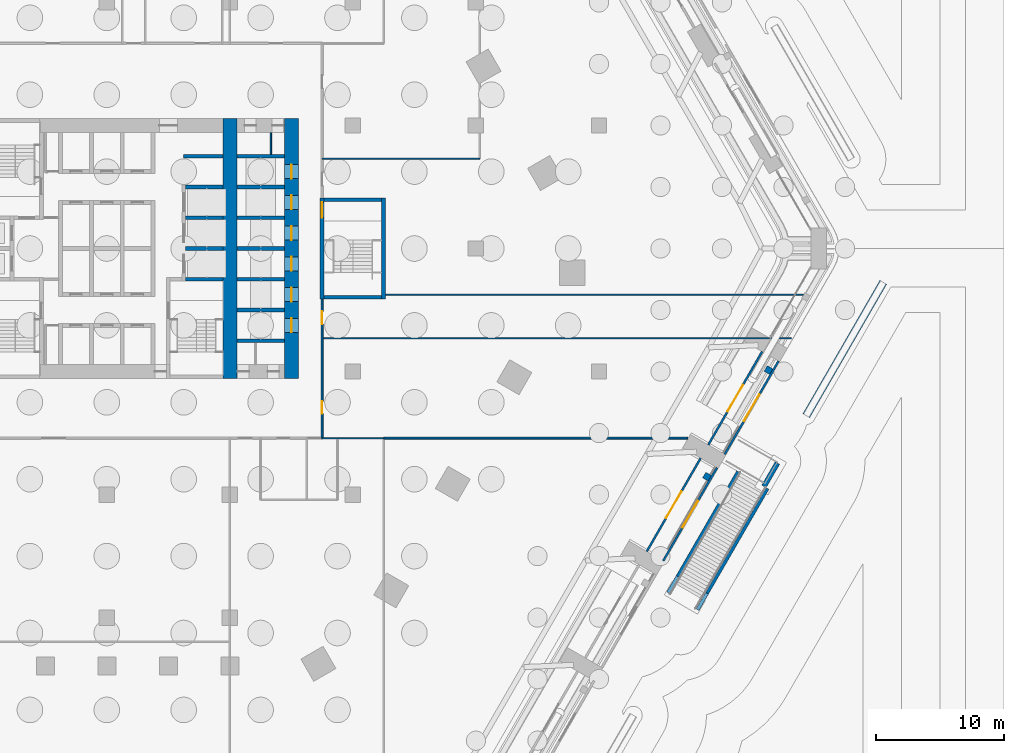
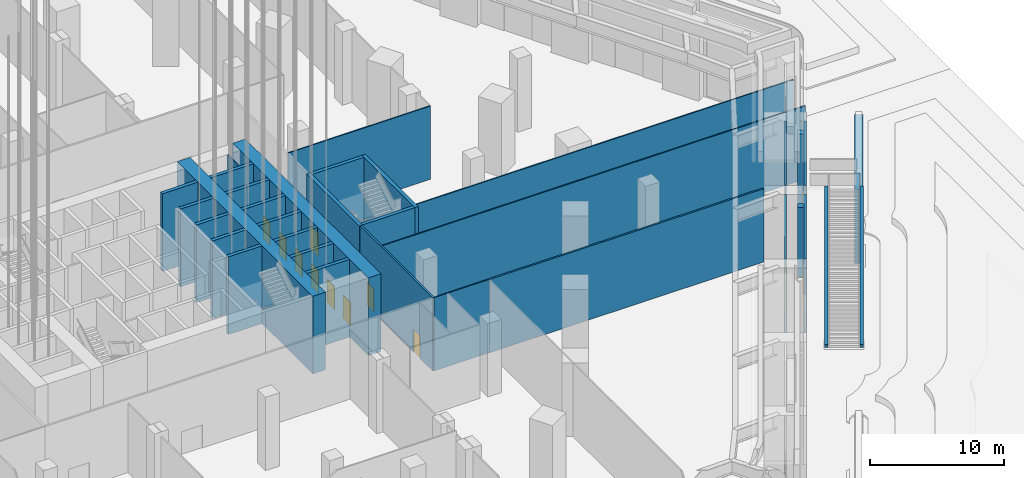
# One storey, part 17 of 68: 35 walls, 13 doors, 13 openings.
"""IFC4 building model written with IfcOpenShell, lengths in metres."""

from ifc_helpers import new_model, si_unit, direction, frame, frame_2d, origin, place, context, subcontext, project, spatial, polyline, rectangle, outline, extrude, material, layer, layer_set, type_object, element, fill, save


model = new_model("IFC4")

# Units and contexts
model_context = context("Model", 3, precision=1e-05, world=origin(), true_north=direction((0.0, 1.0)))
body_context = subcontext(model_context, "Body", "Model", "MODEL_VIEW")
ifc_project = project(units=[si_unit("LENGTHUNIT", "METRE"), si_unit("AREAUNIT", "SQUARE_METRE"), si_unit("VOLUMEUNIT", "CUBIC_METRE"), si_unit("PLANEANGLEUNIT", "RADIAN"), si_unit("MASSUNIT", "GRAM", prefix="KILO")], contexts=[model_context])

# Site, building, storey
site_placement = place(None, origin())
site = spatial("IfcSite", under=ifc_project, at=site_placement, CompositionType="ELEMENT")
building_placement = place(site_placement, origin())
building = spatial("IfcBuilding", under=site, at=building_placement, Name="Kolab Exchange Tower", CompositionType="ELEMENT")
storey_placement = place(building_placement, origin())
storey = spatial("IfcBuildingStorey", under=building, at=storey_placement, Name="L00", CompositionType="ELEMENT", Elevation=0.0)

# Wall
ifc_material_1 = material(Name="Concrete C80/95", Category="concrete")
ifc_layer_1 = layer(ifc_material_1, 1.10009765625)
ifc_layer_set_1 = layer_set([ifc_layer_1], Name="Concrete C80/95")
wall_type_1 = type_object("IfcWallType", Name="CORE WALL 1100 C80/95", PredefinedType="SHEAR", material=ifc_layer_set_1)
wall_1_placement = place(storey_placement, frame((9.60009765625, -10.14990234375, -0.39990234375), z_axis=(0.0, 0.0, 1.0), x_axis=(0.0, 1.0, 0.0)))
element("IfcWall", 1, at=wall_1_placement, inside=storey, type_object=wall_type_1, Name="wall/L00/core/080", PredefinedType="SHEAR", context=body_context, shape_type="SweptSolid", body=[
    extrude(rectangle(XDim=20.2998046875, YDim=1.10009765625, at=frame_2d((10.14990234375, 0.0))), origin(), (0.0, 0.0, 1.0), 7.099853515625),
])

# Wall, openings, doors
wall_2_placement = place(storey_placement, frame((14.39990234375, -10.14990234375, -0.39990234375), z_axis=(0.0, 0.0, 1.0), x_axis=(0.0, 1.0, 0.0)))
wall_2 = element("IfcWall", 2, at=wall_2_placement, inside=storey, type_object=wall_type_1, Name="wall/L00/core/081", PredefinedType="SHEAR", context=body_context, shape_type="SweptSolid", body=[
    extrude(rectangle(XDim=20.2998046875, YDim=1.10009765625, at=frame_2d((10.14990234375, 0.0))), origin(), (0.0, 0.0, 1.0), 7.099853515625),
])
opening_1_placement = place(wall_2_placement, frame((3.60009765625, 0.0, 0.39990234375)))
opening_1 = element("IfcOpeningElement", 3, at=opening_1_placement, cuts=wall_2, Name="Opening LD1-001", PredefinedType="OPENING", context=body_context, shape_type="SweptSolid", body=[
    extrude(rectangle(XDim=1.10009765625, YDim=2.10009765625, at=frame_2d((0.550048828125, 1.050048828125))), frame((0.0, 0.56005859375, 0.0), z_axis=(0.0, -1.0, 0.0), x_axis=(1.0, 0.0, 0.0)), (0.0, 0.0, 1.0), 1.1201171875),
])
opening_2_placement = place(wall_2_placement, frame((6.0, 0.0, 0.39990234375)))
opening_2 = element("IfcOpeningElement", 4, at=opening_2_placement, cuts=wall_2, Name="Opening LD1-002", PredefinedType="OPENING", context=body_context, shape_type="SweptSolid", body=[
    extrude(rectangle(XDim=1.10009765625, YDim=2.10009765625, at=frame_2d((0.550048828125, 1.050048828125))), frame((0.0, 0.56005859375, 0.0), z_axis=(0.0, -1.0, 0.0), x_axis=(1.0, 0.0, 0.0)), (0.0, 0.0, 1.0), 1.1201171875),
])
opening_3_placement = place(wall_2_placement, frame((8.39990234375, 0.0, 0.39990234375)))
opening_3 = element("IfcOpeningElement", 5, at=opening_3_placement, cuts=wall_2, Name="Opening LD1-003", PredefinedType="OPENING", context=body_context, shape_type="SweptSolid", body=[
    extrude(rectangle(XDim=1.10009765625, YDim=2.10009765625, at=frame_2d((0.550048828125, 1.050048828125))), frame((0.0, 0.56005859375, 0.0), z_axis=(0.0, -1.0, 0.0), x_axis=(1.0, 0.0, 0.0)), (0.0, 0.0, 1.0), 1.1201171875),
])
opening_4_placement = place(wall_2_placement, frame((10.800048828125, 0.0, 0.39990234375)))
opening_4 = element("IfcOpeningElement", 6, at=opening_4_placement, cuts=wall_2, Name="Opening LD1-004", PredefinedType="OPENING", context=body_context, shape_type="SweptSolid", body=[
    extrude(rectangle(XDim=1.10009765625, YDim=2.10009765625, at=frame_2d((0.550048828125, 1.050048828125))), frame((0.0, 0.56005859375, 0.0), z_axis=(0.0, -1.0, 0.0), x_axis=(1.0, 0.0, 0.0)), (0.0, 0.0, 1.0), 1.1201171875),
])
opening_5_placement = place(wall_2_placement, frame((13.199951171875, 0.0, 0.39990234375)))
opening_5 = element("IfcOpeningElement", 7, at=opening_5_placement, cuts=wall_2, Name="Opening LD1-009", PredefinedType="OPENING", context=body_context, shape_type="SweptSolid", body=[
    extrude(rectangle(XDim=1.10009765625, YDim=2.10009765625, at=frame_2d((0.550048828125, 1.050048828125))), frame((0.0, 0.56005859375, 0.0), z_axis=(0.0, -1.0, 0.0), x_axis=(1.0, 0.0, 0.0)), (0.0, 0.0, 1.0), 1.1201171875),
])
opening_6_placement = place(wall_2_placement, frame((15.60009765625, 0.0, 0.39990234375)))
opening_6 = element("IfcOpeningElement", 8, at=opening_6_placement, cuts=wall_2, Name="Opening LD1-010", PredefinedType="OPENING", context=body_context, shape_type="SweptSolid", body=[
    extrude(rectangle(XDim=1.10009765625, YDim=2.10009765625, at=frame_2d((0.550048828125, 1.050048828125))), frame((0.0, 0.56005859375, 0.0), z_axis=(0.0, -1.0, 0.0), x_axis=(1.0, 0.0, 0.0)), (0.0, 0.0, 1.0), 1.1201171875),
])
ifc_material_2 = material(Name="Stainless steel 316", Category="steel")
door_type_1 = type_object("IfcDoorType", Name="LANDING DOOR 1100 PASSENGER", OperationType="DOUBLE_DOOR_SLIDING", PredefinedType="DOOR", material=ifc_material_2)
door_1_placement = place(opening_1_placement, origin())
door_1 = element("IfcDoor", 9, at=door_1_placement, inside=storey, type_object=door_type_1, Name="Landing door LR1", OperationType="DOUBLE_DOOR_SLIDING", OverallHeight=2.10009765625, OverallWidth=1.10009765625, PredefinedType="DOOR", context=body_context, shape_type="SweptSolid", body=[
    extrude(rectangle(XDim=1.10009765625, YDim=2.10009765625, at=frame_2d((0.550048828125, 1.050048828125))), frame((0.0, 0.02490234375, 0.0), z_axis=(0.0, -1.0, 0.0), x_axis=(1.0, 0.0, 0.0)), (0.0, 0.0, 1.0), 0.050048828125),
])
fill(opening_1, door_1)
door_2_placement = place(opening_2_placement, origin())
door_2 = element("IfcDoor", 10, at=door_2_placement, inside=storey, type_object=door_type_1, Name="Landing door LR2", OperationType="DOUBLE_DOOR_SLIDING", OverallHeight=2.10009765625, OverallWidth=1.10009765625, PredefinedType="DOOR", context=body_context, shape_type="SweptSolid", body=[
    extrude(rectangle(XDim=1.10009765625, YDim=2.10009765625, at=frame_2d((0.550048828125, 1.050048828125))), frame((0.0, 0.02490234375, 0.0), z_axis=(0.0, -1.0, 0.0), x_axis=(1.0, 0.0, 0.0)), (0.0, 0.0, 1.0), 0.050048828125),
])
fill(opening_2, door_2)
door_3_placement = place(opening_3_placement, origin())
door_3 = element("IfcDoor", 11, at=door_3_placement, inside=storey, type_object=door_type_1, Name="Landing door LR3", OperationType="DOUBLE_DOOR_SLIDING", OverallHeight=2.10009765625, OverallWidth=1.10009765625, PredefinedType="DOOR", context=body_context, shape_type="SweptSolid", body=[
    extrude(rectangle(XDim=1.10009765625, YDim=2.10009765625, at=frame_2d((0.550048828125, 1.050048828125))), frame((0.0, 0.02490234375, 0.0), z_axis=(0.0, -1.0, 0.0), x_axis=(1.0, 0.0, 0.0)), (0.0, 0.0, 1.0), 0.050048828125),
])
fill(opening_3, door_3)
door_4_placement = place(opening_4_placement, origin())
door_4 = element("IfcDoor", 12, at=door_4_placement, inside=storey, type_object=door_type_1, Name="Landing door LR4", OperationType="DOUBLE_DOOR_SLIDING", OverallHeight=2.10009765625, OverallWidth=1.10009765625, PredefinedType="DOOR", context=body_context, shape_type="SweptSolid", body=[
    extrude(rectangle(XDim=1.10009765625, YDim=2.10009765625, at=frame_2d((0.550048828125, 1.050048828125))), frame((0.0, 0.02490234375, 0.0), z_axis=(0.0, -1.0, 0.0), x_axis=(1.0, 0.0, 0.0)), (0.0, 0.0, 1.0), 0.050048828125),
])
fill(opening_4, door_4)
door_5_placement = place(opening_5_placement, origin())
door_5 = element("IfcDoor", 13, at=door_5_placement, inside=storey, type_object=door_type_1, Name="Landing door SH1", OperationType="DOUBLE_DOOR_SLIDING", OverallHeight=2.10009765625, OverallWidth=1.10009765625, PredefinedType="DOOR", context=body_context, shape_type="SweptSolid", body=[
    extrude(rectangle(XDim=1.10009765625, YDim=2.10009765625, at=frame_2d((0.550048828125, 1.050048828125))), frame((0.0, 0.02490234375, 0.0), z_axis=(0.0, -1.0, 0.0), x_axis=(1.0, 0.0, 0.0)), (0.0, 0.0, 1.0), 0.050048828125),
])
fill(opening_5, door_5)
door_6_placement = place(opening_6_placement, origin())
door_6 = element("IfcDoor", 14, at=door_6_placement, inside=storey, type_object=door_type_1, Name="Landing door SH2", OperationType="DOUBLE_DOOR_SLIDING", OverallHeight=2.10009765625, OverallWidth=1.10009765625, PredefinedType="DOOR", context=body_context, shape_type="SweptSolid", body=[
    extrude(rectangle(XDim=1.10009765625, YDim=2.10009765625, at=frame_2d((0.550048828125, 1.050048828125))), frame((0.0, 0.02490234375, 0.0), z_axis=(0.0, -1.0, 0.0), x_axis=(1.0, 0.0, 0.0)), (0.0, 0.0, 1.0), 0.050048828125),
])
fill(opening_6, door_6)

# Wall, opening, door
ifc_material_3 = material(Name="Aluminium EN AW-6063 T6", Category="aluminium")
ifc_layer_2 = layer(ifc_material_3, 0.159912109375)
ifc_layer_set_2 = layer_set([ifc_layer_2], Name="Aluminium EN AW-6063 T6")
wall_type_2 = type_object("IfcWallType", Name="DOOR SURROUND WALL 160 ALUMINIUM FRAMED", PredefinedType="PARTITIONING", material=ifc_layer_set_2)
wall_3_placement = place(storey_placement, frame((51.130615234375, -8.045166015625, 0.0), z_axis=(0.0, 0.0, 1.0), x_axis=(-0.49999513524, -0.866028212437, 0.0)))
wall_3 = element("IfcWall", 15, at=wall_3_placement, inside=storey, type_object=wall_type_2, Name="Door surround wall", PredefinedType="PARTITIONING", context=body_context, shape_type="SweptSolid", body=[
    extrude(rectangle(XDim=8.39599609375, YDim=0.159912109375, at=frame_2d((4.197998046875, 0.0))), origin(), (0.0, 0.0, 1.0), 6.699951171875),
])
opening_7_placement = place(wall_3_placement, frame((2.998046875, 0.0, 0.0)))
opening_7 = element("IfcOpeningElement", 16, at=opening_7_placement, cuts=wall_3, Name="Opening ED1-012", PredefinedType="OPENING", context=body_context, shape_type="SweptSolid", body=[
    extrude(rectangle(XDim=2.39990234375, YDim=2.39990234375, at=frame_2d((1.199951171875, 1.199951171875))), frame((0.0, 0.08984375, 0.0), z_axis=(0.0, -1.0, 0.0), x_axis=(1.0, 0.0, 0.0)), (0.0, 0.0, 1.0), 0.179931640625),
])
door_type_2 = type_object("IfcDoorType", Name="ENTRANCE DOUBLE DOOR 2400 X 2400", OperationType="DOUBLE_DOOR_DOUBLE_SWING", PredefinedType="DOOR", material=ifc_material_3)
door_7_placement = place(opening_7_placement, origin())
door_7 = element("IfcDoor", 17, at=door_7_placement, inside=storey, type_object=door_type_2, Name="Entrance door", OperationType="DOUBLE_DOOR_DOUBLE_SWING", OverallHeight=2.39990234375, OverallWidth=2.39990234375, PredefinedType="DOOR", context=body_context, shape_type="SweptSolid", body=[
    extrude(rectangle(XDim=2.39990234375, YDim=2.39990234375, at=frame_2d((1.199951171875, 1.199951171875))), frame((0.0, 0.02490234375, 0.0), z_axis=(0.0, -1.0, 0.0), x_axis=(1.0, 0.0, 0.0)), (0.0, 0.0, 1.0), 0.050048828125),
])
fill(opening_7, door_7)

wall_4_placement = place(storey_placement, frame((46.33056640625, -16.359130859375, 0.0), z_axis=(0.0, 0.0, 1.0), x_axis=(-0.500007726539, -0.866020942819, 0.0)))
wall_4 = element("IfcWall", 18, at=wall_4_placement, inside=storey, type_object=wall_type_2, Name="Door surround wall", PredefinedType="PARTITIONING", context=body_context, shape_type="SweptSolid", body=[
    extrude(rectangle(XDim=8.395751953125, YDim=0.159912109375, at=frame_2d((4.19775390625, 0.0))), origin(), (0.0, 0.0, 1.0), 6.699951171875),
])
opening_8_placement = place(wall_4_placement, frame((2.998046875, 0.0, 0.0)))
opening_8 = element("IfcOpeningElement", 19, at=opening_8_placement, cuts=wall_4, Name="Opening ED1-009", PredefinedType="OPENING", context=body_context, shape_type="SweptSolid", body=[
    extrude(rectangle(XDim=2.39990234375, YDim=2.39990234375, at=frame_2d((1.199951171875, 1.199951171875))), frame((0.0, 0.08984375, 0.0), z_axis=(0.0, -1.0, 0.0), x_axis=(1.0, 0.0, 0.0)), (0.0, 0.0, 1.0), 0.179931640625),
])
door_8_placement = place(opening_8_placement, origin())
door_8 = element("IfcDoor", 20, at=door_8_placement, inside=storey, type_object=door_type_2, Name="Entrance door", OperationType="DOUBLE_DOOR_DOUBLE_SWING", OverallHeight=2.39990234375, OverallWidth=2.39990234375, PredefinedType="DOOR", context=body_context, shape_type="SweptSolid", body=[
    extrude(rectangle(XDim=2.39990234375, YDim=2.39990234375, at=frame_2d((1.199951171875, 1.199951171875))), frame((0.0, 0.02490234375, 0.0), z_axis=(0.0, -1.0, 0.0), x_axis=(1.0, 0.0, 0.0)), (0.0, 0.0, 1.0), 0.050048828125),
])
fill(opening_8, door_8)

wall_5_placement = place(storey_placement, frame((52.411376953125, -8.786865234375, 0.0), z_axis=(0.0, 0.0, 1.0), x_axis=(-0.499996941814, -0.866027169422, 0.0)))
wall_5 = element("IfcWall", 21, at=wall_5_placement, inside=storey, type_object=wall_type_2, Name="Door surround wall", PredefinedType="PARTITIONING", context=body_context, shape_type="SweptSolid", body=[
    extrude(rectangle(XDim=8.39208984375, YDim=0.159912109375, at=frame_2d((4.196044921875, 0.0))), origin(), (0.0, 0.0, 1.0), 6.699951171875),
])
opening_9_placement = place(wall_5_placement, frame((2.99609375, 0.0, 0.0)))
opening_9 = element("IfcOpeningElement", 22, at=opening_9_placement, cuts=wall_5, Name="Opening ED1-031", PredefinedType="OPENING", context=body_context, shape_type="SweptSolid", body=[
    extrude(rectangle(XDim=2.39990234375, YDim=2.39990234375, at=frame_2d((1.199951171875, 1.199951171875))), frame((0.0, 0.08984375, 0.0), z_axis=(0.0, -1.0, 0.0), x_axis=(1.0, 0.0, 0.0)), (0.0, 0.0, 1.0), 0.179931640625),
])
door_9_placement = place(opening_9_placement, origin())
door_9 = element("IfcDoor", 23, at=door_9_placement, inside=storey, type_object=door_type_2, Name="Entrance door", OperationType="DOUBLE_DOOR_DOUBLE_SWING", OverallHeight=2.39990234375, OverallWidth=2.39990234375, PredefinedType="DOOR", context=body_context, shape_type="SweptSolid", body=[
    extrude(rectangle(XDim=2.39990234375, YDim=2.39990234375, at=frame_2d((1.199951171875, 1.199951171875))), frame((0.0, 0.02490234375, 0.0), z_axis=(0.0, -1.0, 0.0), x_axis=(1.0, 0.0, 0.0)), (0.0, 0.0, 1.0), 0.050048828125),
])
fill(opening_9, door_9)

wall_6_placement = place(storey_placement, frame((47.611328125, -17.100830078125, 0.0), z_axis=(0.0, 0.0, 1.0), x_axis=(-0.500009539049, -0.866019896342, 0.0)))
wall_6 = element("IfcWall", 24, at=wall_6_placement, inside=storey, type_object=wall_type_2, Name="Door surround wall", PredefinedType="PARTITIONING", context=body_context, shape_type="SweptSolid", body=[
    extrude(rectangle(XDim=8.391845703125, YDim=0.159912109375, at=frame_2d((4.19580078125, 0.0))), origin(), (0.0, 0.0, 1.0), 6.699951171875),
])
opening_10_placement = place(wall_6_placement, frame((2.99609375, 0.0, 0.0)))
opening_10 = element("IfcOpeningElement", 25, at=opening_10_placement, cuts=wall_6, Name="Opening ED1-032", PredefinedType="OPENING", context=body_context, shape_type="SweptSolid", body=[
    extrude(rectangle(XDim=2.39990234375, YDim=2.39990234375, at=frame_2d((1.199951171875, 1.199951171875))), frame((0.0, 0.08984375, 0.0), z_axis=(0.0, -1.0, 0.0), x_axis=(1.0, 0.0, 0.0)), (0.0, 0.0, 1.0), 0.179931640625),
])
door_10_placement = place(opening_10_placement, origin())
door_10 = element("IfcDoor", 26, at=door_10_placement, inside=storey, type_object=door_type_2, Name="Entrance door", OperationType="DOUBLE_DOOR_DOUBLE_SWING", OverallHeight=2.39990234375, OverallWidth=2.39990234375, PredefinedType="DOOR", context=body_context, shape_type="SweptSolid", body=[
    extrude(rectangle(XDim=2.39990234375, YDim=2.39990234375, at=frame_2d((1.199951171875, 1.199951171875))), frame((0.0, 0.02490234375, 0.0), z_axis=(0.0, -1.0, 0.0), x_axis=(1.0, 0.0, 0.0)), (0.0, 0.0, 1.0), 0.050048828125),
])
fill(opening_10, door_10)

# Walls
ifc_material_4 = material(Name="Concrete C50/60", Category="concrete")
ifc_layer_3 = layer(ifc_material_4, 0.300048828125)
ifc_layer_set_3 = layer_set([ifc_layer_3], Name="Concrete C50/60")
wall_type_3 = type_object("IfcWallType", Name="LIFT SHAFT WALL 300 C50/60", PredefinedType="STANDARD", material=ifc_layer_set_3)
for number, where, z_axis, x_axis, name in (
    (27, (10.14990234375, -7.199951171875, -0.39990234375), (0.0, 0.0, 1.0), (1.0, 0.0, 0.0), "wall/L00/core/006"),
    (28, (10.14990234375, -4.800048828125, -0.39990234375), (0.0, 0.0, 1.0), (1.0, 0.0, 0.0), "wall/L00/core/011"),
    (29, (10.14990234375, -2.39990234375, -0.39990234375), (0.0, 0.0, 1.0), (1.0, 0.0, 0.0), "wall/L00/core/023"),
):
    element("IfcWall", number, at=place(storey_placement, frame(where, z_axis=z_axis, x_axis=x_axis)), inside=storey, type_object=wall_type_3, Name=name, PredefinedType="STANDARD", context=body_context, shape_type="SweptSolid", body=[
        extrude(rectangle(XDim=3.7001953125, YDim=0.300048828125, at=frame_2d((1.85009765625, 0.0))), origin(), (0.0, 0.0, 1.0), 7.099853515625),
    ])
wall_7_placement = place(storey_placement, frame((6.14990234375, 0.0, -0.39990234375), z_axis=(0.0, 0.0, 1.0), x_axis=(1.0, 0.0, 0.0)))
element("IfcWall", 30, at=wall_7_placement, inside=storey, type_object=wall_type_3, Name="wall/L00/core/029", PredefinedType="STANDARD", context=body_context, shape_type="SweptSolid", body=[
    extrude(rectangle(XDim=2.900146484375, YDim=0.300048828125, at=frame_2d((1.4501953125, 0.0))), origin(), (0.0, 0.0, 1.0), 7.099853515625),
])
wall_8_placement = place(storey_placement, frame((10.14990234375, 0.0, -0.39990234375), z_axis=(0.0, 0.0, 1.0), x_axis=(1.0, 0.0, 0.0)))
element("IfcWall", 31, at=wall_8_placement, inside=storey, type_object=wall_type_3, Name="wall/L00/core/030", PredefinedType="STANDARD", context=body_context, shape_type="SweptSolid", body=[
    extrude(rectangle(XDim=3.7001953125, YDim=0.300048828125, at=frame_2d((1.85009765625, 0.0))), origin(), (0.0, 0.0, 1.0), 7.099853515625),
])
wall_9_placement = place(storey_placement, frame((6.14990234375, 2.39990234375, -0.39990234375), z_axis=(0.0, 0.0, 1.0), x_axis=(1.0, 0.0, 0.0)))
element("IfcWall", 32, at=wall_9_placement, inside=storey, type_object=wall_type_3, Name="wall/L00/core/035", PredefinedType="STANDARD", context=body_context, shape_type="SweptSolid", body=[
    extrude(rectangle(XDim=2.900146484375, YDim=0.300048828125, at=frame_2d((1.4501953125, 0.0))), origin(), (0.0, 0.0, 1.0), 7.099853515625),
])
wall_10_placement = place(storey_placement, frame((10.14990234375, 2.39990234375, -0.39990234375), z_axis=(0.0, 0.0, 1.0), x_axis=(1.0, 0.0, 0.0)))
element("IfcWall", 33, at=wall_10_placement, inside=storey, type_object=wall_type_3, Name="wall/L00/core/036", PredefinedType="STANDARD", context=body_context, shape_type="SweptSolid", body=[
    extrude(rectangle(XDim=3.7001953125, YDim=0.300048828125, at=frame_2d((1.85009765625, 0.0))), origin(), (0.0, 0.0, 1.0), 7.099853515625),
])
wall_11_placement = place(storey_placement, frame((6.14990234375, 4.800048828125, -0.39990234375), z_axis=(0.0, 0.0, 1.0), x_axis=(1.0, 0.0, 0.0)))
element("IfcWall", 34, at=wall_11_placement, inside=storey, type_object=wall_type_3, Name="wall/L00/core/043", PredefinedType="STANDARD", context=body_context, shape_type="SweptSolid", body=[
    extrude(rectangle(XDim=2.900146484375, YDim=0.300048828125, at=frame_2d((1.4501953125, 0.0))), origin(), (0.0, 0.0, 1.0), 7.099853515625),
])
wall_12_placement = place(storey_placement, frame((10.14990234375, 4.800048828125, -0.39990234375), z_axis=(0.0, 0.0, 1.0), x_axis=(1.0, 0.0, 0.0)))
element("IfcWall", 35, at=wall_12_placement, inside=storey, type_object=wall_type_3, Name="wall/L00/core/044", PredefinedType="STANDARD", context=body_context, shape_type="SweptSolid", body=[
    extrude(rectangle(XDim=3.7001953125, YDim=0.300048828125, at=frame_2d((1.85009765625, 0.0))), origin(), (0.0, 0.0, 1.0), 7.099853515625),
])
wall_13_placement = place(storey_placement, frame((6.0, 7.199951171875, -0.39990234375), z_axis=(0.0, 0.0, 1.0), x_axis=(1.0, 0.0, 0.0)))
element("IfcWall", 36, at=wall_13_placement, inside=storey, type_object=wall_type_3, Name="wall/L00/core/049", PredefinedType="STANDARD", context=body_context, shape_type="SweptSolid", body=[
    extrude(rectangle(XDim=3.050048828125, YDim=0.300048828125, at=frame_2d((1.52490234375, 0.0))), origin(), (0.0, 0.0, 1.0), 7.099853515625),
])
wall_14_placement = place(storey_placement, frame((10.14990234375, 7.199951171875, -0.39990234375), z_axis=(0.0, 0.0, 1.0), x_axis=(1.0, 0.0, 0.0)))
element("IfcWall", 37, at=wall_14_placement, inside=storey, type_object=wall_type_3, Name="wall/L00/core/050", PredefinedType="STANDARD", context=body_context, shape_type="SweptSolid", body=[
    extrude(rectangle(XDim=3.7001953125, YDim=0.300048828125, at=frame_2d((1.85009765625, 0.0))), origin(), (0.0, 0.0, 1.0), 7.099853515625),
])
ifc_material_5 = material(Name="Gypsum board", Category="gypsum")
ifc_layer_4 = layer(ifc_material_5, 0.10009765625)
ifc_layer_set_4 = layer_set([ifc_layer_4], Name="Gypsum board")
wall_type_4 = type_object("IfcWallType", Name="PARTITION 100", PredefinedType="PARTITIONING", material=ifc_layer_set_4)
wall_15_placement = place(storey_placement, frame((12.800048828125, 7.35009765625, 0.0), z_axis=(0.0, 0.0, 1.0), x_axis=(0.0, 1.0, 0.0)))
element("IfcWall", 38, at=wall_15_placement, inside=storey, type_object=wall_type_4, Name="Partition 007", PredefinedType="PARTITIONING", context=body_context, shape_type="SweptSolid", body=[
    extrude(rectangle(XDim=1.699951171875, YDim=0.10009765625, at=frame_2d((0.85009765625, 0.0))), origin(), (0.0, 0.0, 1.0), 6.699951171875),
])
wall_16_placement = place(storey_placement, frame((16.800048828125, -14.800048828125, 0.0), z_axis=(0.0, 0.0, 1.0), x_axis=(1.0, 0.0, 0.0)))
element("IfcWall", 39, at=wall_16_placement, inside=storey, type_object=wall_type_4, Name="Partition 028", PredefinedType="PARTITIONING", context=body_context, shape_type="SweptSolid", body=[
    extrude(rectangle(XDim=4.800048828125, YDim=0.10009765625, at=frame_2d((2.39990234375, 0.0))), origin(), (0.0, 0.0, 1.0), 6.699951171875),
])
wall_17_placement = place(storey_placement, frame((16.800048828125, -7.0, 0.0), z_axis=(0.0, 0.0, 1.0), x_axis=(1.0, 0.0, 0.0)))
element("IfcWall", 40, at=wall_17_placement, inside=storey, type_object=wall_type_4, Name="Partition 031", PredefinedType="PARTITIONING", context=body_context, shape_type="SweptSolid", body=[
    extrude(rectangle(XDim=36.619873046875, YDim=0.10009765625, at=frame_2d((18.31005859375, 0.0))), origin(), (0.0, 0.0, 1.0), 6.699951171875),
])
wall_18_placement = place(storey_placement, frame((21.75, -3.60009765625, 0.0), z_axis=(0.0, 0.0, 1.0), x_axis=(1.0, 0.0, 0.0)))
element("IfcWall", 41, at=wall_18_placement, inside=storey, type_object=wall_type_4, Name="Partition 034", PredefinedType="PARTITIONING", context=body_context, shape_type="SweptSolid", body=[
    extrude(rectangle(XDim=32.587890625, YDim=0.10009765625, at=frame_2d((16.2939453125, 0.0))), origin(), (0.0, 0.0, 1.0), 6.699951171875),
])
wall_19_placement = place(storey_placement, frame((16.800048828125, 7.0, 0.0), z_axis=(0.0, 0.0, 1.0), x_axis=(1.0, 0.0, 0.0)))
element("IfcWall", 42, at=wall_19_placement, inside=storey, type_object=wall_type_4, Name="Partition 037", PredefinedType="PARTITIONING", context=body_context, shape_type="SweptSolid", body=[
    extrude(rectangle(XDim=12.296875, YDim=0.10009765625, at=frame_2d((6.1484375, 0.0))), origin(), (0.0, 0.0, 1.0), 6.699951171875),
])

# Wall, openings, doors
ifc_layer_5 = layer(ifc_material_5, 0.14990234375)
ifc_layer_set_5 = layer_set([ifc_layer_5], Name="Gypsum board")
wall_type_5 = type_object("IfcWallType", Name="PARTITION 150 FIRE-RATED", PredefinedType="PARTITIONING", material=ifc_layer_set_5)
wall_20_placement = place(storey_placement, frame((16.800048828125, -14.800048828125, 0.0), z_axis=(0.0, 0.0, 1.0), x_axis=(0.0, 1.0, 0.0)))
wall_20 = element("IfcWall", 43, at=wall_20_placement, inside=storey, type_object=wall_type_5, Name="Partition 004", PredefinedType="PARTITIONING", context=body_context, shape_type="SweptSolid", body=[
    extrude(rectangle(XDim=10.85009765625, YDim=0.14990234375, at=frame_2d((5.425048828125, 0.0))), origin(), (0.0, 0.0, 1.0), 6.699951171875),
])
opening_11_placement = place(wall_20_placement, frame((1.89990234375, 0.0, 0.0)))
opening_11 = element("IfcOpeningElement", 44, at=opening_11_placement, cuts=wall_20, Name="Opening D1-005", PredefinedType="OPENING", context=body_context, shape_type="SweptSolid", body=[
    extrude(rectangle(XDim=1.0, YDim=2.10009765625, at=frame_2d((0.5, 1.050048828125))), frame((0.0, 0.0849609375, 0.0), z_axis=(0.0, -1.0, 0.0), x_axis=(1.0, 0.0, 0.0)), (0.0, 0.0, 1.0), 0.169921875),
])
opening_12_placement = place(wall_20_placement, frame((8.89990234375, 0.0, 0.0)))
opening_12 = element("IfcOpeningElement", 45, at=opening_12_placement, cuts=wall_20, Name="Opening D1-006", PredefinedType="OPENING", context=body_context, shape_type="SweptSolid", body=[
    extrude(rectangle(XDim=1.0, YDim=2.10009765625, at=frame_2d((0.5, 1.050048828125))), frame((0.0, 0.0849609375, 0.0), z_axis=(0.0, -1.0, 0.0), x_axis=(1.0, 0.0, 0.0)), (0.0, 0.0, 1.0), 0.169921875),
])
ifc_material_6 = material(Name="Steel S235", Category="steel")
door_type_3 = type_object("IfcDoorType", Name="FLUSH DOOR 1000 FD60", OperationType="SINGLE_SWING_LEFT", PredefinedType="DOOR", material=ifc_material_6)
door_11_placement = place(opening_11_placement, frame((1.0, 0.0, 0.0), z_axis=(0.0, 0.0, 1.0), x_axis=(-1.0, 0.0, 0.0)))
door_11 = element("IfcDoor", 46, at=door_11_placement, inside=storey, type_object=door_type_3, Name="Door L00-056", OperationType="SINGLE_SWING_LEFT", OverallHeight=2.10009765625, OverallWidth=1.0, PredefinedType="DOOR", context=body_context, shape_type="SweptSolid", body=[
    extrude(rectangle(XDim=1.0, YDim=2.10009765625, at=frame_2d((0.5, 1.050048828125))), frame((0.0, 0.02490234375, 0.0), z_axis=(0.0, -1.0, 0.0), x_axis=(1.0, 0.0, 0.0)), (0.0, 0.0, 1.0), 0.050048828125),
])
fill(opening_11, door_11)
door_12_placement = place(opening_12_placement, frame((1.0, 0.0, 0.0), z_axis=(0.0, 0.0, 1.0), x_axis=(-1.0, 0.0, 0.0)))
door_12 = element("IfcDoor", 47, at=door_12_placement, inside=storey, type_object=door_type_3, Name="Door L00-057", OperationType="SINGLE_SWING_LEFT", OverallHeight=2.10009765625, OverallWidth=1.0, PredefinedType="DOOR", context=body_context, shape_type="SweptSolid", body=[
    extrude(rectangle(XDim=1.0, YDim=2.10009765625, at=frame_2d((0.5, 1.050048828125))), frame((0.0, 0.02490234375, 0.0), z_axis=(0.0, -1.0, 0.0), x_axis=(1.0, 0.0, 0.0)), (0.0, 0.0, 1.0), 0.050048828125),
])
fill(opening_12, door_12)

# Walls
wall_21_placement = place(storey_placement, frame((21.60009765625, -14.800048828125, 0.0), z_axis=(0.0, 0.0, 1.0), x_axis=(1.0, 0.0, 0.0)))
element("IfcWall", 48, at=wall_21_placement, inside=storey, type_object=wall_type_5, Name="Partition 042", PredefinedType="PARTITIONING", context=body_context, shape_type="SweptSolid", body=[
    extrude(rectangle(XDim=23.716796875, YDim=0.14990234375, at=frame_2d((11.8583984375, 0.0))), origin(), (0.0, 0.0, 1.0), 6.699951171875),
])
ifc_material_7 = material(Name="Granite facing", Category="masonry")
ifc_layer_6 = layer(ifc_material_7, 0.0400390625)
ifc_material_8 = material(Name="Concrete C40/50 precast", Category="concrete")
ifc_layer_7 = layer(ifc_material_8, 0.56005859375)
ifc_layer_set_6 = layer_set([ifc_layer_6, ifc_layer_7], Name="Concrete C40/50 precast")
wall_type_6 = type_object("IfcWallType", Name="PLANTER BOX 600 X 700 SOIL DEPTH 550", PredefinedType="USERDEFINED", material=ifc_layer_set_6)
wall_22_placement = place(storey_placement, frame((60.577392578125, -2.642822265625, 0.0), z_axis=(0.0, 0.0, 1.0), x_axis=(-0.49999894854, -0.866026010844, 0.0)))
element("IfcWall", 49, at=wall_22_placement, inside=storey, type_object=wall_type_6, Name="Planter", ObjectType="PLANTER", PredefinedType="USERDEFINED", context=body_context, shape_type="SweptSolid", body=[
    extrude(rectangle(XDim=12.0, YDim=0.60009765625, at=frame_2d((6.0, 0.0))), origin(), (0.0, 0.0, 1.0), 0.699951171875),
])
ifc_layer_8 = layer(ifc_material_7, 0.0400390625)
ifc_material_9 = material(Name="Concrete C40/50", Category="concrete")
ifc_layer_9 = layer(ifc_material_9, 0.2099609375)
ifc_layer_set_7 = layer_set([ifc_layer_8, ifc_layer_9], Name="Concrete C40/50")
wall_type_7 = type_object("IfcWallType", Name="STAIR CHEEK WALL 250", PredefinedType="SOLIDWALL", material=ifc_layer_set_7)
for number, where, z_axis, x_axis, name in (
    (50, (43.79736328125, -26.85693359375, 0.0), (0.0, 0.0, 1.0), (0.499995975244, 0.866027727466, 0.0), "Stair cheek wall"),
    (51, (46.09228515625, -28.181884765625, 0.0), (0.0, 0.0, 1.0), (0.499995975244, 0.866027727466, 0.0), "Stair cheek wall"),
):
    element("IfcWall", number, at=place(storey_placement, frame(where, z_axis=z_axis, x_axis=x_axis)), inside=storey, type_object=wall_type_7, Name=name, PredefinedType="SOLIDWALL", context=body_context, shape_type="SweptSolid", body=[
        extrude(outline(polyline([(0.0, 0.0), (10.919921875, 0.0), (10.919921875, 7.10009765625), (0.0, 0.27490234375), (0.0, 0.0)])), frame((0.0, 0.125, 0.0), z_axis=(0.0, -1.0, 0.0), x_axis=(1.0, 0.0, 0.0)), (0.0, 0.0, 1.0), 0.25),
    ])
ifc_layer_10 = layer(ifc_material_4, 0.300048828125)
ifc_layer_set_8 = layer_set([ifc_layer_10], Name="Concrete C50/60")
wall_type_8 = type_object("IfcWallType", Name="STAIR ENCLOSURE WALL 300 C50/60", PredefinedType="STANDARD", material=ifc_layer_set_8)
wall_23_placement = place(storey_placement, frame((16.949951171875, -3.800048828125, -0.39990234375), z_axis=(0.0, 0.0, 1.0), x_axis=(1.0, 0.0, 0.0)))
element("IfcWall", 52, at=wall_23_placement, inside=storey, type_object=wall_type_8, Name="wall/L00/core/013", PredefinedType="STANDARD", context=body_context, shape_type="SweptSolid", body=[
    extrude(rectangle(XDim=4.5, YDim=0.300048828125, at=frame_2d((2.25, 0.0))), origin(), (0.0, 0.0, 1.0), 7.099853515625),
])
wall_24_placement = place(storey_placement, frame((6.14990234375, -2.39990234375, -0.39990234375), z_axis=(0.0, 0.0, 1.0), x_axis=(1.0, 0.0, 0.0)))
element("IfcWall", 53, at=wall_24_placement, inside=storey, type_object=wall_type_8, Name="wall/L00/core/022", PredefinedType="STANDARD", context=body_context, shape_type="SweptSolid", body=[
    extrude(rectangle(XDim=2.900146484375, YDim=0.300048828125, at=frame_2d((1.4501953125, 0.0))), origin(), (0.0, 0.0, 1.0), 7.099853515625),
])
wall_25_placement = place(storey_placement, frame((16.949951171875, 3.800048828125, -0.39990234375), z_axis=(0.0, 0.0, 1.0), x_axis=(1.0, 0.0, 0.0)))
element("IfcWall", 54, at=wall_25_placement, inside=storey, type_object=wall_type_8, Name="wall/L00/core/041", PredefinedType="STANDARD", context=body_context, shape_type="SweptSolid", body=[
    extrude(rectangle(XDim=4.5, YDim=0.300048828125, at=frame_2d((2.25, 0.0))), origin(), (0.0, 0.0, 1.0), 7.099853515625),
])

# Wall, opening, door
wall_26_placement = place(storey_placement, frame((16.800048828125, -3.949951171875, -0.39990234375), z_axis=(0.0, 0.0, 1.0), x_axis=(0.0, 1.0, 0.0)))
wall_26 = element("IfcWall", 55, at=wall_26_placement, inside=storey, type_object=wall_type_8, Name="wall/L00/core/082", PredefinedType="STANDARD", context=body_context, shape_type="SweptSolid", body=[
    extrude(rectangle(XDim=7.89990234375, YDim=0.300048828125, at=frame_2d((3.949951171875, 0.0))), origin(), (0.0, 0.0, 1.0), 7.099853515625),
])
opening_13_placement = place(wall_26_placement, frame((6.35009765625, 0.0, 0.39990234375)))
opening_13 = element("IfcOpeningElement", 56, at=opening_13_placement, cuts=wall_26, Name="Opening D4-005", PredefinedType="OPENING", context=body_context, shape_type="SweptSolid", body=[
    extrude(rectangle(XDim=1.199951171875, YDim=2.10009765625, at=frame_2d((0.60009765625, 1.050048828125))), frame((0.0, 0.16015625, 0.0), z_axis=(0.0, -1.0, 0.0), x_axis=(1.0, 0.0, 0.0)), (0.0, 0.0, 1.0), 0.320068359375),
])
door_type_4 = type_object("IfcDoorType", Name="STAIR DOOR 1200 EI 120", OperationType="SINGLE_SWING_LEFT", PredefinedType="DOOR", material=ifc_material_6)
door_13_placement = place(opening_13_placement, frame((1.199951171875, 0.0, 0.0), z_axis=(0.0, 0.0, 1.0), x_axis=(-1.0, 0.0, 0.0)))
door_13 = element("IfcDoor", 57, at=door_13_placement, inside=storey, type_object=door_type_4, Name="Stair 4 door", OperationType="SINGLE_SWING_RIGHT", OverallHeight=2.10009765625, OverallWidth=1.199951171875, PredefinedType="DOOR", context=body_context, shape_type="SweptSolid", body=[
    extrude(rectangle(XDim=1.199951171875, YDim=2.10009765625, at=frame_2d((0.60009765625, 1.050048828125))), frame((0.0, 0.02490234375, 0.0), z_axis=(0.0, -1.0, 0.0), x_axis=(1.0, 0.0, 0.0)), (0.0, 0.0, 1.0), 0.050048828125),
])
fill(opening_13, door_13)

# Walls
wall_27_placement = place(storey_placement, frame((21.60009765625, -3.949951171875, -0.39990234375), z_axis=(0.0, 0.0, 1.0), x_axis=(0.0, 1.0, 0.0)))
element("IfcWall", 58, at=wall_27_placement, inside=storey, type_object=wall_type_8, Name="wall/L00/core/083", PredefinedType="STANDARD", context=body_context, shape_type="SweptSolid", body=[
    extrude(rectangle(XDim=7.89990234375, YDim=0.300048828125, at=frame_2d((3.949951171875, 0.0))), origin(), (0.0, 0.0, 1.0), 7.099853515625),
])
ifc_layer_11 = layer(ifc_material_9, 0.39990234375)
ifc_layer_set_9 = layer_set([ifc_layer_11], Name="Concrete C40/50")
wall_type_9 = type_object("IfcWallType", Name="STAIR LANDING SUPPORT PIER 2100 X 400", PredefinedType="SOLIDWALL", material=ifc_layer_set_9)
wall_28_placement = place(storey_placement, frame((52.32080078125, -16.74365234375, 0.0), z_axis=(0.0, 0.0, 1.0), x_axis=(-0.49994051562, -0.866059744384, 0.0)))
element("IfcWall", 59, at=wall_28_placement, inside=storey, type_object=wall_type_9, Name="Stair landing support pier", PredefinedType="SOLIDWALL", context=body_context, shape_type="SweptSolid", body=[
    extrude(rectangle(XDim=2.099853515625, YDim=0.39990234375, at=frame_2d((1.0498046875, 0.0))), origin(), (0.0, 0.0, 1.0), 6.800048828125),
])
ifc_layer_12 = layer(ifc_material_7, 0.5)
ifc_layer_set_10 = layer_set([ifc_layer_12], Name="Granite facing")
wall_type_10 = type_object("IfcWallType", Name="STONE FACADE FIN 500 X 500", PredefinedType="SOLIDWALL", material=ifc_layer_set_10)
wall_29_placement = place(storey_placement, frame((51.752685546875, -9.26806640625, 0.0), z_axis=(0.0, 0.0, 1.0), x_axis=(-0.500131122175, -0.865949687125, 0.0)))
element("IfcWall", 60, at=wall_29_placement, inside=storey, type_object=wall_type_10, Name="Stone facade fin", PredefinedType="SOLIDWALL", context=body_context, shape_type="SweptSolid", body=[
    extrude(rectangle(XDim=0.499755859375, YDim=0.5, at=frame_2d((0.25, 0.0))), origin(), (0.0, 0.0, 1.0), 6.39990234375),
])
wall_30_placement = place(storey_placement, frame((46.95263671875, -17.581787109375, 0.0), z_axis=(0.0, 0.0, 1.0), x_axis=(-0.499919672301, -0.866071776036, 0.0)))
element("IfcWall", 61, at=wall_30_placement, inside=storey, type_object=wall_type_10, Name="Stone facade fin", PredefinedType="SOLIDWALL", context=body_context, shape_type="SweptSolid", body=[
    extrude(rectangle(XDim=0.5, YDim=0.5, at=frame_2d((0.25, 0.0))), origin(), (0.0, 0.0, 1.0), 6.39990234375),
])

save(model, "model.ifc")
